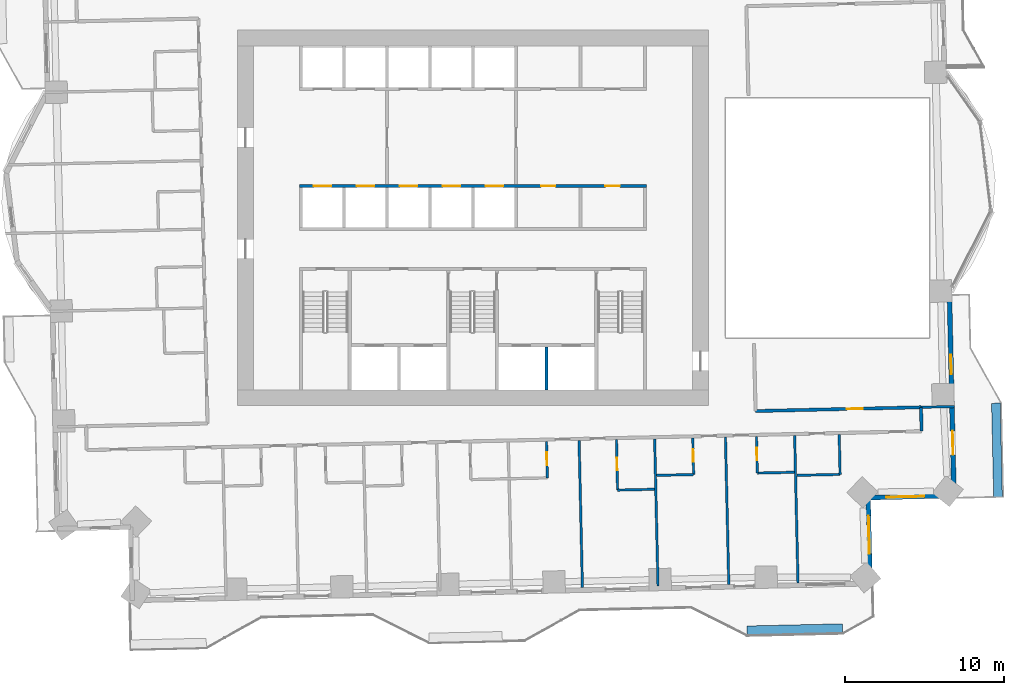
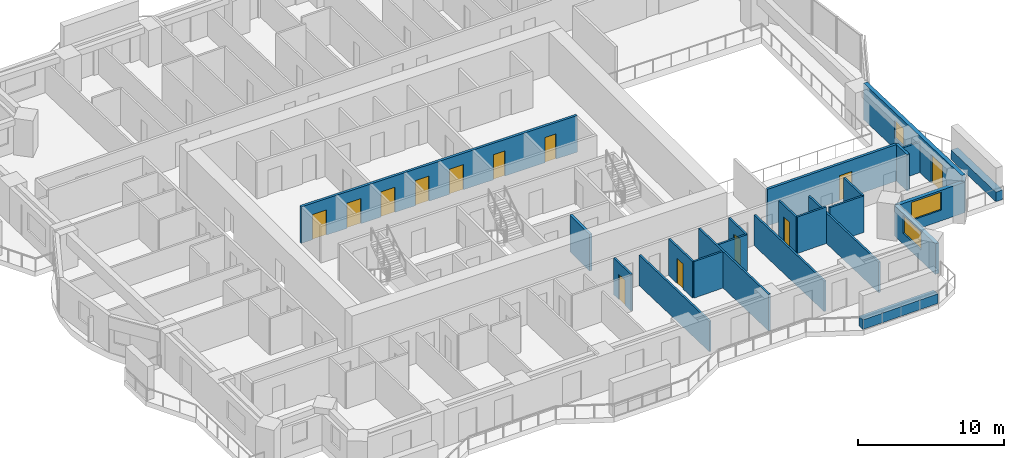
# One storey, part 9 of 17: 23 walls, 13 doors, 3 windows, 16 openings.
"""IFC4 building model written with IfcOpenShell, lengths in metres."""

from ifc_helpers import new_model, si_unit, direction, frame, frame_2d, origin, place, context, subcontext, project, spatial, rectangle, extrude, material, layer, layer_set, type_object, element, fill, save


model = new_model("IFC4")

# Units and contexts
model_context = context("Model", 3, precision=1e-05, world=origin(), true_north=direction((0.0, 1.0)))
body_context = subcontext(model_context, "Body", "Model", "MODEL_VIEW")
ifc_project = project(units=[si_unit("LENGTHUNIT", "METRE"), si_unit("AREAUNIT", "SQUARE_METRE"), si_unit("VOLUMEUNIT", "CUBIC_METRE"), si_unit("PLANEANGLEUNIT", "RADIAN"), si_unit("MASSUNIT", "GRAM", prefix="KILO")], contexts=[model_context])

# Site, building, storey
site_placement = place(None, origin())
site = spatial("IfcSite", under=ifc_project, at=site_placement, CompositionType="ELEMENT")
building_placement = place(site_placement, origin())
building = spatial("IfcBuilding", under=site, at=building_placement, Name="Mangrove Gate Tower", CompositionType="ELEMENT")
storey_placement = place(building_placement, frame((0.0, 0.0, 90.10009765625)))
storey = spatial("IfcBuildingStorey", under=building, at=storey_placement, Name="L22", CompositionType="ELEMENT", Elevation=90.10009765625)

# Wall, openings, doors
ifc_material_1 = material(Name="Concrete C70/85", Category="concrete")
ifc_layer_1 = layer(ifc_material_1, 0.199951171875)
ifc_layer_set_1 = layer_set([ifc_layer_1], Name="Core shaft wall 200 C70/85")
wall_type_1 = type_object("IfcWallType", Name="Core shaft wall 200 C70/85", PredefinedType="SHEAR", material=ifc_layer_set_1)
wall_1_placement = place(storey_placement, frame((-10.89990234375, 2.0, 0.0), z_axis=(0.0, 0.0, 1.0), x_axis=(1.0, 0.0, 0.0)))
wall_1 = element("IfcWall", 1, at=wall_1_placement, inside=storey, type_object=wall_type_1, Name="WALL-L22-CORE-7", PredefinedType="SHEAR", context=body_context, shape_type="SweptSolid", body=[
    extrude(rectangle(XDim=21.7998046875, YDim=0.199951171875, at=frame_2d((10.89990234375, 0.0))), origin(), (0.0, 0.0, 1.0), 3.0498046875),
])
opening_1_placement = place(wall_1_placement, frame((0.89990234375, 0.0, 0.0)))
opening_1 = element("IfcOpeningElement", 2, at=opening_1_placement, cuts=wall_1, Name="Opening LD", PredefinedType="OPENING", context=body_context, shape_type="SweptSolid", body=[
    extrude(rectangle(XDim=1.10009765625, YDim=2.10009765625, at=frame_2d((0.550048828125, 1.050048828125))), frame((0.0, 0.10986328125, 0.0), z_axis=(0.0, -1.0, 0.0), x_axis=(1.0, 0.0, 0.0)), (0.0, 0.0, 1.0), 0.219970703125),
])
opening_2_placement = place(wall_1_placement, frame((3.60009765625, 0.0, 0.0)))
opening_2 = element("IfcOpeningElement", 3, at=opening_2_placement, cuts=wall_1, Name="Opening LD", PredefinedType="OPENING", context=body_context, shape_type="SweptSolid", body=[
    extrude(rectangle(XDim=1.10009765625, YDim=2.10009765625, at=frame_2d((0.550048828125, 1.050048828125))), frame((0.0, 0.10986328125, 0.0), z_axis=(0.0, -1.0, 0.0), x_axis=(1.0, 0.0, 0.0)), (0.0, 0.0, 1.0), 0.219970703125),
])
opening_3_placement = place(wall_1_placement, frame((6.300048828125, 0.0, 0.0)))
opening_3 = element("IfcOpeningElement", 4, at=opening_3_placement, cuts=wall_1, Name="Opening LD", PredefinedType="OPENING", context=body_context, shape_type="SweptSolid", body=[
    extrude(rectangle(XDim=1.10009765625, YDim=2.10009765625, at=frame_2d((0.550048828125, 1.050048828125))), frame((0.0, 0.10986328125, 0.0), z_axis=(0.0, -1.0, 0.0), x_axis=(1.0, 0.0, 0.0)), (0.0, 0.0, 1.0), 0.219970703125),
])
opening_4_placement = place(wall_1_placement, frame((9.0, 0.0, 0.0)))
opening_4 = element("IfcOpeningElement", 5, at=opening_4_placement, cuts=wall_1, Name="Opening LD", PredefinedType="OPENING", context=body_context, shape_type="SweptSolid", body=[
    extrude(rectangle(XDim=1.10009765625, YDim=2.10009765625, at=frame_2d((0.550048828125, 1.050048828125))), frame((0.0, 0.10986328125, 0.0), z_axis=(0.0, -1.0, 0.0), x_axis=(1.0, 0.0, 0.0)), (0.0, 0.0, 1.0), 0.219970703125),
])
opening_5_placement = place(wall_1_placement, frame((11.699951171875, 0.0, 0.0)))
opening_5 = element("IfcOpeningElement", 6, at=opening_5_placement, cuts=wall_1, Name="Opening LD", PredefinedType="OPENING", context=body_context, shape_type="SweptSolid", body=[
    extrude(rectangle(XDim=1.10009765625, YDim=2.10009765625, at=frame_2d((0.550048828125, 1.050048828125))), frame((0.0, 0.10986328125, 0.0), z_axis=(0.0, -1.0, 0.0), x_axis=(1.0, 0.0, 0.0)), (0.0, 0.0, 1.0), 0.219970703125),
])
opening_6_placement = place(wall_1_placement, frame((15.175048828125, 0.0, 0.0)))
opening_6 = element("IfcOpeningElement", 7, at=opening_6_placement, cuts=wall_1, Name="Opening RD", PredefinedType="OPENING", context=body_context, shape_type="SweptSolid", body=[
    extrude(rectangle(XDim=0.89990234375, YDim=2.10009765625, at=frame_2d((0.449951171875, 1.050048828125))), frame((0.0, 0.10986328125, 0.0), z_axis=(0.0, -1.0, 0.0), x_axis=(1.0, 0.0, 0.0)), (0.0, 0.0, 1.0), 0.219970703125),
])
opening_7_placement = place(wall_1_placement, frame((19.22509765625, 0.0, 0.0)))
opening_7 = element("IfcOpeningElement", 8, at=opening_7_placement, cuts=wall_1, Name="Opening RD", PredefinedType="OPENING", context=body_context, shape_type="SweptSolid", body=[
    extrude(rectangle(XDim=0.89990234375, YDim=2.10009765625, at=frame_2d((0.449951171875, 1.050048828125))), frame((0.0, 0.10986328125, 0.0), z_axis=(0.0, -1.0, 0.0), x_axis=(1.0, 0.0, 0.0)), (0.0, 0.0, 1.0), 0.219970703125),
])
ifc_material_2 = material(Name="Stainless steel 316", Category="steel")
door_type_1 = type_object("IfcDoorType", Name="Lift landing door 1100x2100", OperationType="SLIDING_TO_LEFT", PredefinedType="DOOR", material=ifc_material_2)
door_1_placement = place(opening_1_placement, origin())
door_1 = element("IfcDoor", 9, at=door_1_placement, inside=storey, type_object=door_type_1, Name="Landing door LD P01", OperationType="SLIDING_TO_LEFT", OverallHeight=2.10009765625, OverallWidth=1.10009765625, PredefinedType="DOOR", context=body_context, shape_type="SweptSolid", body=[
    extrude(rectangle(XDim=1.10009765625, YDim=2.10009765625, at=frame_2d((0.550048828125, 1.050048828125))), frame((0.0, 0.02490234375, 0.0), z_axis=(0.0, -1.0, 0.0), x_axis=(1.0, 0.0, 0.0)), (0.0, 0.0, 1.0), 0.050048828125),
])
fill(opening_1, door_1)
door_2_placement = place(opening_2_placement, origin())
door_2 = element("IfcDoor", 10, at=door_2_placement, inside=storey, type_object=door_type_1, Name="Landing door LD P02", OperationType="SLIDING_TO_LEFT", OverallHeight=2.10009765625, OverallWidth=1.10009765625, PredefinedType="DOOR", context=body_context, shape_type="SweptSolid", body=[
    extrude(rectangle(XDim=1.10009765625, YDim=2.10009765625, at=frame_2d((0.550048828125, 1.050048828125))), frame((0.0, 0.02490234375, 0.0), z_axis=(0.0, -1.0, 0.0), x_axis=(1.0, 0.0, 0.0)), (0.0, 0.0, 1.0), 0.050048828125),
])
fill(opening_2, door_2)
door_3_placement = place(opening_3_placement, origin())
door_3 = element("IfcDoor", 11, at=door_3_placement, inside=storey, type_object=door_type_1, Name="Landing door LD P03", OperationType="SLIDING_TO_LEFT", OverallHeight=2.10009765625, OverallWidth=1.10009765625, PredefinedType="DOOR", context=body_context, shape_type="SweptSolid", body=[
    extrude(rectangle(XDim=1.10009765625, YDim=2.10009765625, at=frame_2d((0.550048828125, 1.050048828125))), frame((0.0, 0.02490234375, 0.0), z_axis=(0.0, -1.0, 0.0), x_axis=(1.0, 0.0, 0.0)), (0.0, 0.0, 1.0), 0.050048828125),
])
fill(opening_3, door_3)
door_4_placement = place(opening_4_placement, origin())
door_4 = element("IfcDoor", 12, at=door_4_placement, inside=storey, type_object=door_type_1, Name="Landing door LD P04", OperationType="SLIDING_TO_LEFT", OverallHeight=2.10009765625, OverallWidth=1.10009765625, PredefinedType="DOOR", context=body_context, shape_type="SweptSolid", body=[
    extrude(rectangle(XDim=1.10009765625, YDim=2.10009765625, at=frame_2d((0.550048828125, 1.050048828125))), frame((0.0, 0.02490234375, 0.0), z_axis=(0.0, -1.0, 0.0), x_axis=(1.0, 0.0, 0.0)), (0.0, 0.0, 1.0), 0.050048828125),
])
fill(opening_4, door_4)
door_5_placement = place(opening_5_placement, origin())
door_5 = element("IfcDoor", 13, at=door_5_placement, inside=storey, type_object=door_type_1, Name="Landing door LD P05", OperationType="SLIDING_TO_LEFT", OverallHeight=2.10009765625, OverallWidth=1.10009765625, PredefinedType="DOOR", context=body_context, shape_type="SweptSolid", body=[
    extrude(rectangle(XDim=1.10009765625, YDim=2.10009765625, at=frame_2d((0.550048828125, 1.050048828125))), frame((0.0, 0.02490234375, 0.0), z_axis=(0.0, -1.0, 0.0), x_axis=(1.0, 0.0, 0.0)), (0.0, 0.0, 1.0), 0.050048828125),
])
fill(opening_5, door_5)
ifc_material_3 = material(Name="Fire-rated steel door set", Category="steel")
door_type_2 = type_object("IfcDoorType", Name="Riser door FD30S 900x2100", OperationType="SINGLE_SWING_LEFT", PredefinedType="DOOR", material=ifc_material_3)
door_6_placement = place(opening_6_placement, origin())
door_6 = element("IfcDoor", 14, at=door_6_placement, inside=storey, type_object=door_type_2, Name="Riser door Switch room", OperationType="SINGLE_SWING_LEFT", OverallHeight=2.10009765625, OverallWidth=0.89990234375, PredefinedType="DOOR", context=body_context, shape_type="SweptSolid", body=[
    extrude(rectangle(XDim=0.89990234375, YDim=2.10009765625, at=frame_2d((0.449951171875, 1.050048828125))), frame((0.0, 0.02490234375, 0.0), z_axis=(0.0, -1.0, 0.0), x_axis=(1.0, 0.0, 0.0)), (0.0, 0.0, 1.0), 0.050048828125),
])
fill(opening_6, door_6)
door_7_placement = place(opening_7_placement, origin())
door_7 = element("IfcDoor", 15, at=door_7_placement, inside=storey, type_object=door_type_2, Name="Riser door Comms room", OperationType="SINGLE_SWING_LEFT", OverallHeight=2.10009765625, OverallWidth=0.89990234375, PredefinedType="DOOR", context=body_context, shape_type="SweptSolid", body=[
    extrude(rectangle(XDim=0.89990234375, YDim=2.10009765625, at=frame_2d((0.449951171875, 1.050048828125))), frame((0.0, 0.02490234375, 0.0), z_axis=(0.0, -1.0, 0.0), x_axis=(1.0, 0.0, 0.0)), (0.0, 0.0, 1.0), 0.050048828125),
])
fill(opening_7, door_7)

# Walls
wall_2_placement = place(storey_placement, frame((4.625, -10.800048828125, 0.0), z_axis=(0.0, 0.0, 1.0), x_axis=(0.0, 1.0, 0.0)))
element("IfcWall", 16, at=wall_2_placement, inside=storey, type_object=wall_type_1, Name="WALL-L22-CORE-18", PredefinedType="SHEAR", context=body_context, shape_type="SweptSolid", body=[
    extrude(rectangle(XDim=2.699951171875, YDim=0.199951171875, at=frame_2d((1.35009765625, 0.0))), origin(), (0.0, 0.0, 1.0), 3.0498046875),
])
ifc_material_4 = material(Name="Gypsum board on steel stud, EI 60", Category="steel")
ifc_layer_2 = layer(ifc_material_4, 0.199951171875)
ifc_layer_set_2 = layer_set([ifc_layer_2], Name="Corridor wall EI 60")
wall_type_2 = type_object("IfcWallType", Name="Corridor wall EI 60", PredefinedType="PARTITIONING", material=ifc_layer_set_2)
wall_3_placement = place(storey_placement, frame((28.18798828125, -13.40087890625, 0.0), z_axis=(0.0, 0.0, 1.0), x_axis=(-0.022617910375, 0.999744182344, 0.0)))
element("IfcWall", 17, at=wall_3_placement, inside=storey, type_object=wall_type_2, Name="WALL-L22-031", PredefinedType="PARTITIONING", context=body_context, shape_type="SweptSolid", body=[
    extrude(rectangle(XDim=1.50048828125, YDim=0.199951171875, at=frame_2d((0.750244140625, 0.0))), origin(), (0.0, 0.0, 1.0), 3.0498046875),
])

# Wall, opening, door
wall_4_placement = place(storey_placement, frame((17.7529296875, -12.136962890625, 0.0), z_axis=(0.0, 0.0, 1.0), x_axis=(0.999742295888, 0.022701141223, 0.0)))
wall_4 = element("IfcWall", 18, at=wall_4_placement, inside=storey, type_object=wall_type_2, Name="WALL-L22-035", PredefinedType="PARTITIONING", context=body_context, shape_type="SweptSolid", body=[
    extrude(rectangle(XDim=10.399658203125, YDim=0.199951171875, at=frame_2d((5.19970703125, 0.0))), origin(), (0.0, 0.0, 1.0), 3.0498046875),
])
opening_8_placement = place(wall_4_placement, frame((5.75, 0.0, 0.0)))
opening_8 = element("IfcOpeningElement", 19, at=opening_8_placement, cuts=wall_4, Name="Opening AD", PredefinedType="OPENING", context=body_context, shape_type="SweptSolid", body=[
    extrude(rectangle(XDim=1.0, YDim=2.10009765625, at=frame_2d((0.5, 1.050048828125))), frame((0.0, 0.10986328125, 0.0), z_axis=(0.0, -1.0, 0.0), x_axis=(1.0, 0.0, 0.0)), (0.0, 0.0, 1.0), 0.219970703125),
])
ifc_material_5 = material(Name="Timber door leaf", Category="wood")
door_type_3 = type_object("IfcDoorType", Name="Amenity door 1000", OperationType="SINGLE_SWING_LEFT", PredefinedType="DOOR", material=ifc_material_5)
door_8_placement = place(opening_8_placement, origin())
door_8 = element("IfcDoor", 20, at=door_8_placement, inside=storey, type_object=door_type_3, Name="DOOR-L22-GAM-c3a", OperationType="SINGLE_SWING_LEFT", OverallHeight=2.10009765625, OverallWidth=1.0, PredefinedType="DOOR", context=body_context, shape_type="SweptSolid", body=[
    extrude(rectangle(XDim=1.0, YDim=2.10009765625, at=frame_2d((0.5, 1.050048828125))), frame((0.0, 0.02490234375, 0.0), z_axis=(0.0, -1.0, 0.0), x_axis=(1.0, 0.0, 0.0)), (0.0, 0.0, 1.0), 0.050048828125),
])
fill(opening_8, door_8)

# Wall, openings, door, window
ifc_material_6 = material(Name="Limestone", Category="masonry")
ifc_layer_3 = layer(ifc_material_6, 0.0400390625, Name="Limestone cladding")
ifc_material_7 = material(Name="Ventilated air gap")
ifc_layer_4 = layer(ifc_material_7, 0.0400390625, Name="Ventilated cavity")
ifc_material_8 = material(Name="Mineral wool insulation")
ifc_layer_5 = layer(ifc_material_8, 0.06005859375, Name="Insulation")
ifc_material_9 = material(Name="Breather membrane")
ifc_layer_6 = layer(ifc_material_9, 0.001953125, Name="Breather membrane")
ifc_material_10 = material(Name="Concrete C20/25 blockwork", Category="masonry")
ifc_layer_7 = layer(ifc_material_10, 0.14990234375, Name="Blockwork backing wall")
ifc_material_11 = material(Name="Gypsum plaster")
ifc_layer_8 = layer(ifc_material_11, 0.008056640625, Name="Internal plaster")
ifc_layer_set_3 = layer_set([ifc_layer_3, ifc_layer_4, ifc_layer_5, ifc_layer_6, ifc_layer_7, ifc_layer_8], Name="External wall 300 limestone cladding")
wall_type_3 = type_object("IfcWallType", Name="External wall 300 limestone cladding", PredefinedType="SOLIDWALL", material=ifc_layer_set_3)
wall_5_placement = place(storey_placement, frame((30.22705078125, -17.455078125, 0.0), z_axis=(0.0, 0.0, 1.0), x_axis=(-0.022734702163, 0.999741533256, 0.0)))
wall_5 = element("IfcWall", 21, at=wall_5_placement, inside=storey, type_object=wall_type_3, Name="WALL-L22-E0", PredefinedType="SOLIDWALL", context=body_context, shape_type="SweptSolid", body=[
    extrude(rectangle(XDim=12.929443359375, YDim=0.300048828125, at=frame_2d((6.46484375, 0.0))), origin(), (0.0, 0.0, 1.0), 3.0498046875),
])
opening_9_placement = place(wall_5_placement, frame((2.56591796875, 0.0, 0.0)))
opening_9 = element("IfcOpeningElement", 22, at=opening_9_placement, cuts=wall_5, Name="Opening BD1", PredefinedType="OPENING", context=body_context, shape_type="SweptSolid", body=[
    extrude(rectangle(XDim=1.5, YDim=2.39990234375, at=frame_2d((0.75, 1.199951171875))), frame((0.0, 0.159912109375, 0.0), z_axis=(0.0, -1.0, 0.0), x_axis=(1.0, 0.0, 0.0)), (0.0, 0.0, 1.0), 0.320068359375),
])
opening_10_placement = place(wall_5_placement, frame((7.64599609375, 0.0, 0.89990234375)))
opening_10 = element("IfcOpeningElement", 23, at=opening_10_placement, cuts=wall_5, Name="Opening W1", PredefinedType="OPENING", context=body_context, shape_type="SweptSolid", body=[
    extrude(rectangle(XDim=1.199951171875, YDim=1.5, at=frame_2d((0.60009765625, 0.75))), frame((0.0, 0.159912109375, 0.0), z_axis=(0.0, -1.0, 0.0), x_axis=(1.0, 0.0, 0.0)), (0.0, 0.0, 1.0), 0.320068359375),
])
ifc_material_12 = material(Name="Aluminium frame with laminated clear glass", Category="aluminium")
door_type_4 = type_object("IfcDoorType", Name="Balcony sliding door 1500x2400", OperationType="SLIDING_TO_LEFT", PredefinedType="DOOR", material=ifc_material_12)
door_9_placement = place(opening_9_placement, origin())
door_9 = element("IfcDoor", 24, at=door_9_placement, inside=storey, type_object=door_type_4, Name="DOOR-L22-E0-1", OperationType="SLIDING_TO_LEFT", OverallHeight=2.39990234375, OverallWidth=1.5, PredefinedType="DOOR", context=body_context, shape_type="SweptSolid", body=[
    extrude(rectangle(XDim=1.5, YDim=2.39990234375, at=frame_2d((0.75, 1.199951171875))), frame((0.0, 0.02490234375, 0.0), z_axis=(0.0, -1.0, 0.0), x_axis=(1.0, 0.0, 0.0)), (0.0, 0.0, 1.0), 0.050048828125),
])
fill(opening_9, door_9)
ifc_material_13 = material(Name="Aluminium frame with double-glazed low-e glass", Category="aluminium")
window_type_1 = type_object("IfcWindowType", Name="Side lite 1200x1500", PartitioningType="SINGLE_PANEL", PredefinedType="WINDOW", material=ifc_material_13)
window_1_placement = place(opening_10_placement, origin())
window_1 = element("IfcWindow", 25, at=window_1_placement, inside=storey, type_object=window_type_1, Name="WIN-L22-E0-2", OverallHeight=1.5, OverallWidth=1.199951171875, PartitioningType="SINGLE_PANEL", PredefinedType="WINDOW", context=body_context, shape_type="SweptSolid", body=[
    extrude(rectangle(XDim=1.199951171875, YDim=1.5, at=frame_2d((0.60009765625, 0.75))), frame((0.0, 0.030029296875, 0.0), z_axis=(0.0, -1.0, 0.0), x_axis=(1.0, 0.0, 0.0)), (0.0, 0.0, 1.0), 0.06005859375),
])
fill(opening_10, window_1)

# Wall, opening, window
wall_6_placement = place(storey_placement, frame((24.950927734375, -22.97705078125, 0.0), z_axis=(0.0, 0.0, 1.0), x_axis=(-0.022784045517, 0.999740409941, 0.0)))
wall_6 = element("IfcWall", 26, at=wall_6_placement, inside=storey, type_object=wall_type_3, Name="WALL-L22-E14", PredefinedType="SOLIDWALL", context=body_context, shape_type="SweptSolid", body=[
    extrude(rectangle(XDim=5.400634765625, YDim=0.300048828125, at=frame_2d((2.7001953125, 0.0))), origin(), (0.0, 0.0, 1.0), 2.5498046875),
])
opening_11_placement = place(wall_6_placement, frame((1.866943359375, 0.0, 0.89990234375)))
opening_11 = element("IfcOpeningElement", 27, at=opening_11_placement, cuts=wall_6, Name="Opening W2", PredefinedType="OPENING", context=body_context, shape_type="SweptSolid", body=[
    extrude(rectangle(XDim=2.39990234375, YDim=1.5, at=frame_2d((1.199951171875, 0.75))), frame((0.0, 0.159912109375, 0.0), z_axis=(0.0, -1.0, 0.0), x_axis=(1.0, 0.0, 0.0)), (0.0, 0.0, 1.0), 0.320068359375),
])
ifc_material_14 = material(Name="Aluminium frame with double-glazed low-e glass", Category="aluminium")
window_type_2 = type_object("IfcWindowType", Name="Corner room window 2400x1500", PartitioningType="DOUBLE_PANEL_VERTICAL", PredefinedType="WINDOW", material=ifc_material_14)
window_2_placement = place(opening_11_placement, origin())
window_2 = element("IfcWindow", 28, at=window_2_placement, inside=storey, type_object=window_type_2, Name="WIN-L22-E14-1", OverallHeight=1.5, OverallWidth=2.39990234375, PartitioningType="DOUBLE_PANEL_VERTICAL", PredefinedType="WINDOW", context=body_context, shape_type="SweptSolid", body=[
    extrude(rectangle(XDim=2.39990234375, YDim=1.5, at=frame_2d((1.199951171875, 0.75))), frame((0.0, 0.030029296875, 0.0), z_axis=(0.0, -1.0, 0.0), x_axis=(1.0, 0.0, 0.0)), (0.0, 0.0, 1.0), 0.06005859375),
])
fill(opening_11, window_2)

wall_7_placement = place(storey_placement, frame((24.827880859375, -17.577880859375, 0.0), z_axis=(0.0, 0.0, 1.0), x_axis=(0.99974143864, 0.022738862475, 0.0)))
wall_7 = element("IfcWall", 29, at=wall_7_placement, inside=storey, type_object=wall_type_3, Name="WALL-L22-S15", PredefinedType="SOLIDWALL", context=body_context, shape_type="SweptSolid", body=[
    extrude(rectangle(XDim=5.400634765625, YDim=0.300048828125, at=frame_2d((2.7001953125, 0.0))), origin(), (0.0, 0.0, 1.0), 2.5498046875),
])
opening_12_placement = place(wall_7_placement, frame((1.135009765625, 0.0, 0.89990234375)))
opening_12 = element("IfcOpeningElement", 30, at=opening_12_placement, cuts=wall_7, Name="Opening W2", PredefinedType="OPENING", context=body_context, shape_type="SweptSolid", body=[
    extrude(rectangle(XDim=2.39990234375, YDim=1.5, at=frame_2d((1.199951171875, 0.75))), frame((0.0, 0.159912109375, 0.0), z_axis=(0.0, -1.0, 0.0), x_axis=(1.0, 0.0, 0.0)), (0.0, 0.0, 1.0), 0.320068359375),
])
window_3_placement = place(opening_12_placement, origin())
window_3 = element("IfcWindow", 31, at=window_3_placement, inside=storey, type_object=window_type_2, Name="WIN-L22-S15-1", OverallHeight=1.5, OverallWidth=2.39990234375, PartitioningType="DOUBLE_PANEL_VERTICAL", PredefinedType="WINDOW", context=body_context, shape_type="SweptSolid", body=[
    extrude(rectangle(XDim=2.39990234375, YDim=1.5, at=frame_2d((1.199951171875, 0.75))), frame((0.0, 0.030029296875, 0.0), z_axis=(0.0, -1.0, 0.0), x_axis=(1.0, 0.0, 0.0)), (0.0, 0.0, 1.0), 0.06005859375),
])
fill(opening_12, window_3)

# Walls
ifc_material_15 = material(Name="Gypsum board on steel stud, EI 60", Category="steel")
ifc_layer_9 = layer(ifc_material_15, 0.14990234375)
ifc_layer_set_4 = layer_set([ifc_layer_9], Name="Party wall 150 EI 60")
wall_type_4 = type_object("IfcWallType", Name="Party wall 150 EI 60", PredefinedType="PARTITIONING", material=ifc_layer_set_4)
wall_8_placement = place(storey_placement, frame((6.8759765625, -23.237060546875, 0.0), z_axis=(0.0, 0.0, 1.0), x_axis=(-0.022697424684, 0.999742380272, 0.0)))
element("IfcWall", 32, at=wall_8_placement, inside=storey, type_object=wall_type_4, Name="WALL-L22-006", PredefinedType="PARTITIONING", context=body_context, shape_type="SweptSolid", body=[
    extrude(rectangle(XDim=9.25048828125, YDim=0.14990234375, at=frame_2d((4.625244140625, 0.0))), origin(), (0.0, 0.0, 1.0), 2.5498046875),
])
wall_9_placement = place(storey_placement, frame((11.625, -23.12890625, 0.0), z_axis=(0.0, 0.0, 1.0), x_axis=(-0.022698023584, 0.999742366675, 0.0)))
element("IfcWall", 33, at=wall_9_placement, inside=storey, type_object=wall_type_4, Name="WALL-L22-007", PredefinedType="PARTITIONING", context=body_context, shape_type="SweptSolid", body=[
    extrude(rectangle(XDim=9.250244140625, YDim=0.14990234375, at=frame_2d((4.625, 0.0))), origin(), (0.0, 0.0, 1.0), 3.0498046875),
])
for number, where, z_axis, x_axis, name in (
    (34, (16.073974609375, -23.028076171875, 0.0), (0.0, 0.0, 1.0), (-0.022697424684, 0.999742380272, 0.0), "WALL-L22-008"),
    (35, (20.422119140625, -22.929931640625, 0.0), (0.0, 0.0, 1.0), (-0.022618288198, 0.999744173796, 0.0), "WALL-L22-009"),
):
    element("IfcWall", number, at=place(storey_placement, frame(where, z_axis=z_axis, x_axis=x_axis)), inside=storey, type_object=wall_type_4, Name=name, PredefinedType="PARTITIONING", context=body_context, shape_type="SweptSolid", body=[
        extrude(rectangle(XDim=9.25048828125, YDim=0.14990234375, at=frame_2d((4.625244140625, 0.0))), origin(), (0.0, 0.0, 1.0), 2.5498046875),
    ])

# Wall, opening, door
wall_10_placement = place(storey_placement, frame((9.0869140625, -17.10498046875, 0.0), z_axis=(0.0, 0.0, 1.0), x_axis=(-0.022336490581, 0.999750509471, 0.0)))
wall_10 = element("IfcWall", 36, at=wall_10_placement, inside=storey, type_object=wall_type_4, Name="WALL-L22-010", PredefinedType="PARTITIONING", context=body_context, shape_type="SweptSolid", body=[
    extrude(rectangle(XDim=3.169677734375, YDim=0.14990234375, at=frame_2d((1.5849609375, 0.0))), origin(), (0.0, 0.0, 1.0), 3.0498046875),
])
opening_13_placement = place(wall_10_placement, frame((1.235107421875, 0.0, 0.0)))
opening_13 = element("IfcOpeningElement", 37, at=opening_13_placement, cuts=wall_10, Name="Opening ED", PredefinedType="OPENING", context=body_context, shape_type="SweptSolid", body=[
    extrude(rectangle(XDim=0.800048828125, YDim=2.10009765625, at=frame_2d((0.39990234375, 1.050048828125))), frame((0.0, 0.0849609375, 0.0), z_axis=(0.0, -1.0, 0.0), x_axis=(1.0, 0.0, 0.0)), (0.0, 0.0, 1.0), 0.169921875),
])
ifc_material_16 = material(Name="Timber door leaf", Category="wood")
door_type_5 = type_object("IfcDoorType", Name="En-suite door 800", OperationType="SINGLE_SWING_LEFT", PredefinedType="DOOR", material=ifc_material_16)
door_10_placement = place(opening_13_placement, origin())
door_10 = element("IfcDoor", 38, at=door_10_placement, inside=storey, type_object=door_type_5, Name="DOOR-L22-ENS-c206", OperationType="SINGLE_SWING_RIGHT", OverallHeight=2.10009765625, OverallWidth=0.800048828125, PredefinedType="DOOR", context=body_context, shape_type="SweptSolid", body=[
    extrude(rectangle(XDim=0.800048828125, YDim=2.10009765625, at=frame_2d((0.39990234375, 1.050048828125))), frame((0.0, 0.02490234375, 0.0), z_axis=(0.0, -1.0, 0.0), x_axis=(1.0, 0.0, 0.0)), (0.0, 0.0, 1.0), 0.050048828125),
])
fill(opening_13, door_10)

# Walls
wall_11_placement = place(storey_placement, frame((9.091064453125, -17.10498046875, 0.0), z_axis=(0.0, 0.0, 1.0), x_axis=(0.999740478815, 0.022781023197, 0.0)))
element("IfcWall", 39, at=wall_11_placement, inside=storey, type_object=wall_type_4, Name="WALL-L22-011", PredefinedType="PARTITIONING", context=body_context, shape_type="SweptSolid", body=[
    extrude(rectangle(XDim=2.325439453125, YDim=0.14990234375, at=frame_2d((1.16259765625, 0.0))), origin(), (0.0, 0.0, 1.0), 3.0498046875),
])
wall_12_placement = place(storey_placement, frame((20.347900390625, -16.178955078125, 0.0), z_axis=(0.0, 0.0, 1.0), x_axis=(0.999741187782, 0.022749889061, 0.0)))
element("IfcWall", 40, at=wall_12_placement, inside=storey, type_object=wall_type_4, Name="WALL-L22-014", PredefinedType="PARTITIONING", context=body_context, shape_type="SweptSolid", body=[
    extrude(rectangle(XDim=2.725830078125, YDim=0.14990234375, at=frame_2d((1.36279296875, 0.0))), origin(), (0.0, 0.0, 1.0), 3.0498046875),
])
wall_13_placement = place(storey_placement, frame((23.069091796875, -16.117919921875, 0.0), z_axis=(0.0, 0.0, 1.0), x_axis=(-0.022845598362, 0.999739005259, 0.0)))
element("IfcWall", 41, at=wall_13_placement, inside=storey, type_object=wall_type_4, Name="WALL-L22-015", PredefinedType="PARTITIONING", context=body_context, shape_type="SweptSolid", body=[
    extrude(rectangle(XDim=2.500732421875, YDim=0.14990234375, at=frame_2d((1.25048828125, 0.0))), origin(), (0.0, 0.0, 1.0), 3.0498046875),
])

# Wall, opening, door
wall_14_placement = place(storey_placement, frame((4.6689453125, -16.3349609375, 0.0), z_axis=(0.0, 0.0, 1.0), x_axis=(-0.022612884682, 0.999744296031, 0.0)))
wall_14 = element("IfcWall", 42, at=wall_14_placement, inside=storey, type_object=wall_type_4, Name="WALL-L22-022", PredefinedType="PARTITIONING", context=body_context, shape_type="SweptSolid", body=[
    extrude(rectangle(XDim=2.299560546875, YDim=0.14990234375, at=frame_2d((1.14990234375, 0.0))), origin(), (0.0, 0.0, 1.0), 3.0498046875),
])
opening_14_placement = place(wall_14_placement, frame((0.800048828125, 0.0, 0.0)))
opening_14 = element("IfcOpeningElement", 43, at=opening_14_placement, cuts=wall_14, Name="Opening ED", PredefinedType="OPENING", context=body_context, shape_type="SweptSolid", body=[
    extrude(rectangle(XDim=0.800048828125, YDim=2.10009765625, at=frame_2d((0.39990234375, 1.050048828125))), frame((0.0, 0.0849609375, 0.0), z_axis=(0.0, -1.0, 0.0), x_axis=(1.0, 0.0, 0.0)), (0.0, 0.0, 1.0), 0.169921875),
])
door_11_placement = place(opening_14_placement, origin())
door_11 = element("IfcDoor", 44, at=door_11_placement, inside=storey, type_object=door_type_5, Name="DOOR-L22-ENS-c205", OperationType="SINGLE_SWING_LEFT", OverallHeight=2.10009765625, OverallWidth=0.800048828125, PredefinedType="DOOR", context=body_context, shape_type="SweptSolid", body=[
    extrude(rectangle(XDim=0.800048828125, YDim=2.10009765625, at=frame_2d((0.39990234375, 1.050048828125))), frame((0.0, 0.02490234375, 0.0), z_axis=(0.0, -1.0, 0.0), x_axis=(1.0, 0.0, 0.0)), (0.0, 0.0, 1.0), 0.050048828125),
])
fill(opening_14, door_11)

# Wall
wall_15_placement = place(storey_placement, frame((11.5458984375, -16.178955078125, 0.0), z_axis=(0.0, 0.0, 1.0), x_axis=(0.99974031529, 0.022788198363, 0.0)))
element("IfcWall", 45, at=wall_15_placement, inside=storey, type_object=wall_type_4, Name="WALL-L22-023", PredefinedType="PARTITIONING", context=body_context, shape_type="SweptSolid", body=[
    extrude(rectangle(XDim=2.32470703125, YDim=0.14990234375, at=frame_2d((1.162353515625, 0.0))), origin(), (0.0, 0.0, 1.0), 3.0498046875),
])

# Wall, opening, door
wall_16_placement = place(storey_placement, frame((13.865966796875, -16.1259765625, 0.0), z_axis=(0.0, 0.0, 1.0), x_axis=(-0.022612884682, 0.999744296031, 0.0)))
wall_16 = element("IfcWall", 46, at=wall_16_placement, inside=storey, type_object=wall_type_4, Name="WALL-L22-024", PredefinedType="PARTITIONING", context=body_context, shape_type="SweptSolid", body=[
    extrude(rectangle(XDim=2.299560546875, YDim=0.14990234375, at=frame_2d((1.14990234375, 0.0))), origin(), (0.0, 0.0, 1.0), 3.0498046875),
])
opening_15_placement = place(wall_16_placement, frame((0.800048828125, 0.0, 0.0)))
opening_15 = element("IfcOpeningElement", 47, at=opening_15_placement, cuts=wall_16, Name="Opening ED", PredefinedType="OPENING", context=body_context, shape_type="SweptSolid", body=[
    extrude(rectangle(XDim=0.800048828125, YDim=2.10009765625, at=frame_2d((0.39990234375, 1.050048828125))), frame((0.0, 0.0849609375, 0.0), z_axis=(0.0, -1.0, 0.0), x_axis=(1.0, 0.0, 0.0)), (0.0, 0.0, 1.0), 0.169921875),
])
door_12_placement = place(opening_15_placement, origin())
door_12 = element("IfcDoor", 48, at=door_12_placement, inside=storey, type_object=door_type_5, Name="DOOR-L22-ENS-c207", OperationType="SINGLE_SWING_LEFT", OverallHeight=2.10009765625, OverallWidth=0.800048828125, PredefinedType="DOOR", context=body_context, shape_type="SweptSolid", body=[
    extrude(rectangle(XDim=0.800048828125, YDim=2.10009765625, at=frame_2d((0.39990234375, 1.050048828125))), frame((0.0, 0.02490234375, 0.0), z_axis=(0.0, -1.0, 0.0), x_axis=(1.0, 0.0, 0.0)), (0.0, 0.0, 1.0), 0.050048828125),
])
fill(opening_15, door_12)

wall_17_placement = place(storey_placement, frame((17.864990234375, -16.035888671875, 0.0), z_axis=(0.0, 0.0, 1.0), x_axis=(-0.022605686808, 0.999744458811, 0.0)))
wall_17 = element("IfcWall", 49, at=wall_17_placement, inside=storey, type_object=wall_type_4, Name="WALL-L22-025", PredefinedType="PARTITIONING", context=body_context, shape_type="SweptSolid", body=[
    extrude(rectangle(XDim=2.30029296875, YDim=0.14990234375, at=frame_2d((1.150146484375, 0.0))), origin(), (0.0, 0.0, 1.0), 3.0498046875),
])
opening_16_placement = place(wall_17_placement, frame((0.800048828125, 0.0, 0.0)))
opening_16 = element("IfcOpeningElement", 50, at=opening_16_placement, cuts=wall_17, Name="Opening ED", PredefinedType="OPENING", context=body_context, shape_type="SweptSolid", body=[
    extrude(rectangle(XDim=0.800048828125, YDim=2.10009765625, at=frame_2d((0.39990234375, 1.050048828125))), frame((0.0, 0.0849609375, 0.0), z_axis=(0.0, -1.0, 0.0), x_axis=(1.0, 0.0, 0.0)), (0.0, 0.0, 1.0), 0.169921875),
])
door_13_placement = place(opening_16_placement, origin())
door_13 = element("IfcDoor", 51, at=door_13_placement, inside=storey, type_object=door_type_5, Name="DOOR-L22-ENS-c308", OperationType="SINGLE_SWING_RIGHT", OverallHeight=2.10009765625, OverallWidth=0.800048828125, PredefinedType="DOOR", context=body_context, shape_type="SweptSolid", body=[
    extrude(rectangle(XDim=0.800048828125, YDim=2.10009765625, at=frame_2d((0.39990234375, 1.050048828125))), frame((0.0, 0.02490234375, 0.0), z_axis=(0.0, -1.0, 0.0), x_axis=(1.0, 0.0, 0.0)), (0.0, 0.0, 1.0), 0.050048828125),
])
fill(opening_16, door_13)

# Walls
wall_18_placement = place(storey_placement, frame((17.868896484375, -16.034912109375, 0.0), z_axis=(0.0, 0.0, 1.0), x_axis=(0.999750007167, 0.022358961731, 0.0)))
element("IfcWall", 52, at=wall_18_placement, inside=storey, type_object=wall_type_4, Name="WALL-L22-026", PredefinedType="PARTITIONING", context=body_context, shape_type="SweptSolid", body=[
    extrude(rectangle(XDim=2.32568359375, YDim=0.14990234375, at=frame_2d((1.162841796875, 0.0))), origin(), (0.0, 0.0, 1.0), 3.0498046875),
])
wall_19_placement = place(storey_placement, frame((28.14599609375, -11.90087890625, 0.0), z_axis=(0.0, 0.0, 1.0), x_axis=(0.999741476082, 0.022737216212, 0.0)))
element("IfcWall", 53, at=wall_19_placement, inside=storey, type_object=wall_type_4, Name="WALL-L22-037", PredefinedType="PARTITIONING", context=body_context, shape_type="SweptSolid", body=[
    extrude(rectangle(XDim=2.1044921875, YDim=0.14990234375, at=frame_2d((1.05224609375, 0.0))), origin(), (0.0, 0.0, 1.0), 2.5498046875),
])
ifc_material_17 = material(Name="Concrete C32/40", Category="concrete")
ifc_layer_10 = layer(ifc_material_17, 0.199951171875, Name="Planter trough wall")
ifc_material_18 = material(Name="Bituminous waterproofing membrane")
ifc_layer_11 = layer(ifc_material_18, 0.0048828125, Name="Waterproofing")
ifc_material_19 = material(Name="Drainage board and gravel")
ifc_layer_12 = layer(ifc_material_19, 0.044921875, Name="Drainage layer")
ifc_material_20 = material(Name="Planting soil")
ifc_layer_13 = layer(ifc_material_20, 0.300048828125, Name="Growing medium")
ifc_layer_set_5 = layer_set([ifc_layer_10, ifc_layer_11, ifc_layer_12, ifc_layer_13], Name="Planter wall 550 C32/40")
wall_type_5 = type_object("IfcWallType", Name="Planter wall 550 C32/40", PredefinedType="USERDEFINED", material=ifc_layer_set_5)
wall_20_placement = place(storey_placement, frame((32.993896484375, -17.5419921875, 0.0), z_axis=(0.0, 0.0, 1.0), x_axis=(-0.022512713257, 0.999746556754, 0.0)))
element("IfcWall", 54, at=wall_20_placement, inside=storey, type_object=wall_type_5, Name="PLANTER L22 E0.1", ObjectType="PLANTER", PredefinedType="USERDEFINED", context=body_context, shape_type="SweptSolid", body=[
    extrude(rectangle(XDim=5.8994140625, YDim=0.550048828125, at=frame_2d((2.94970703125, 0.0))), origin(), (0.0, 0.0, 1.0), 0.7998046875),
])
wall_21_placement = place(storey_placement, frame((17.22998046875, -25.9169921875, 0.0), z_axis=(0.0, 0.0, 1.0), x_axis=(0.999743094499, 0.022665943652, 0.0)))
element("IfcWall", 55, at=wall_21_placement, inside=storey, type_object=wall_type_5, Name="PLANTER L22 S1.1", ObjectType="PLANTER", PredefinedType="USERDEFINED", context=body_context, shape_type="SweptSolid", body=[
    extrude(rectangle(XDim=5.99951171875, YDim=0.550048828125, at=frame_2d((2.999755859375, 0.0))), origin(), (0.0, 0.0, 1.0), 0.7998046875),
])

save(model, "model.ifc")
